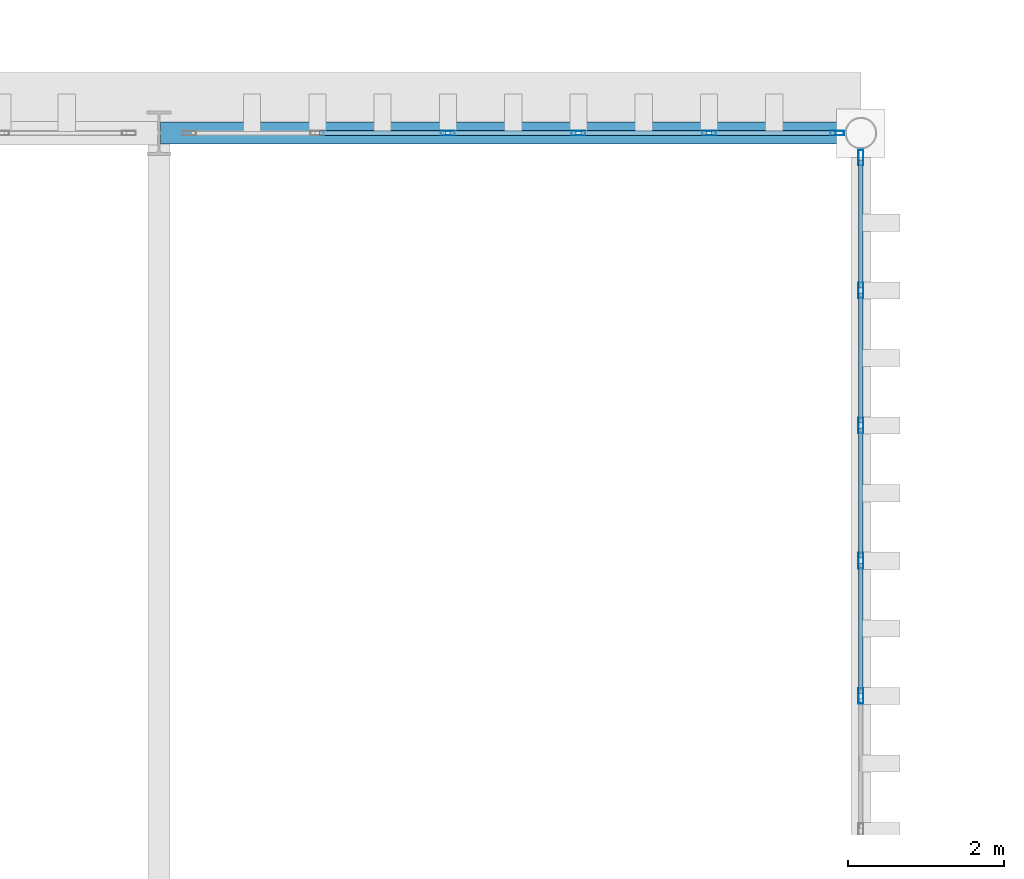
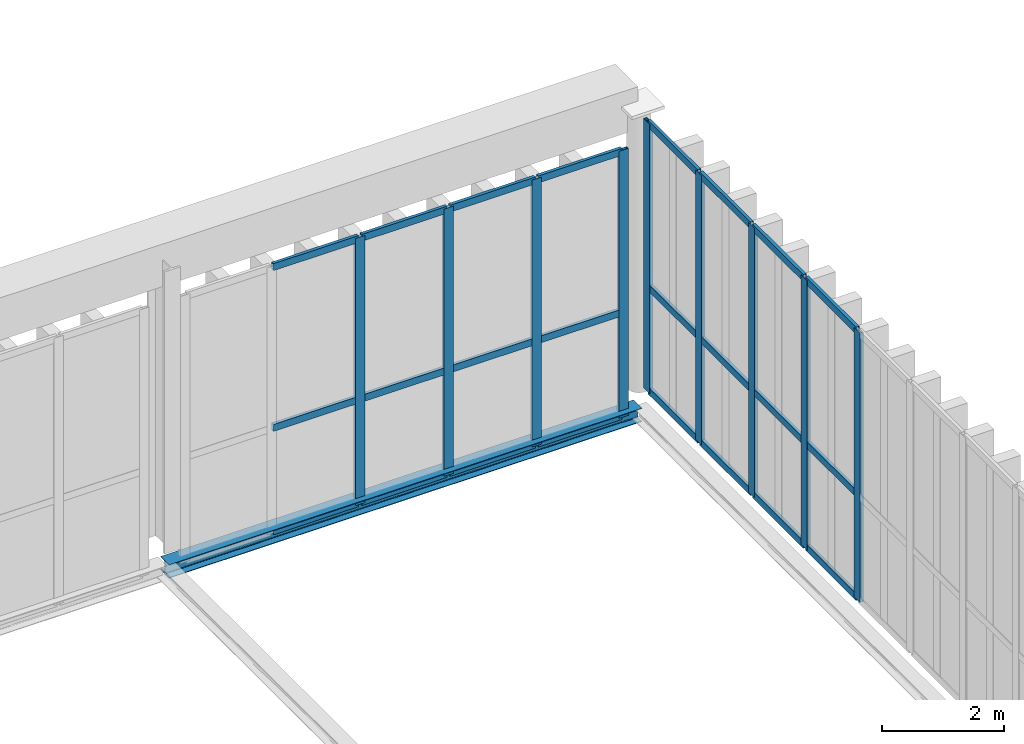
# One storey, part 179 of 237: 33 members, 1 beam, 2 elements without a shape of their own.
"""IFC4 building model written with IfcOpenShell, lengths in metres."""

from ifc_helpers import new_model, si_unit, direction, frame, origin, origin_2d, place, context, subcontext, project, spatial, hollow_rectangle, i_section, extrude, material, layer, layer_set, material_profile, profile_set, type_object, element, aggregate, save


model = new_model("IFC4")

# Units and contexts
model_context = context("Model", 3, precision=1e-05, world=origin(), true_north=direction((0.0, 1.0)))
body_context = subcontext(model_context, "Body", "Model", "MODEL_VIEW")
ifc_project = project(units=[si_unit("LENGTHUNIT", "METRE"), si_unit("AREAUNIT", "SQUARE_METRE"), si_unit("VOLUMEUNIT", "CUBIC_METRE"), si_unit("PLANEANGLEUNIT", "RADIAN"), si_unit("MASSUNIT", "GRAM", prefix="KILO")], contexts=[model_context])

# Site, building, storey
site_placement = place(None, origin())
site = spatial("IfcSite", under=ifc_project, at=site_placement, CompositionType="ELEMENT")
building_placement = place(site_placement, origin())
building = spatial("IfcBuilding", under=site, at=building_placement, Name="Barlavento Convention Centre", CompositionType="ELEMENT")
storey_placement = place(building_placement, frame((0.0, 0.0, 12.0)))
storey = spatial("IfcBuildingStorey", under=building, at=storey_placement, Name="L02", CompositionType="ELEMENT", Elevation=12.0)

# Curtain wall, members
ifc_material_1 = material(Name="Powder-coated aluminium and Low-E glass", Category="aluminium")
ifc_layer = layer(ifc_material_1, 0.18505859375)
ifc_layer_set = layer_set([ifc_layer], Name="ARC-CW-EXH-L02")
curtain_wall_type = type_object("IfcCurtainWallType", Name="ARC-CW-EXH-L02", PredefinedType="NOTDEFINED", material=ifc_layer_set)
curtain_wall_1_placement = place(storey_placement, origin())
curtain_wall_1 = element("IfcCurtainWall", 1, at=curtain_wall_1_placement, inside=storey, type_object=curtain_wall_type, Name="L02 unitised curtain wall CW05", PredefinedType="NOTDEFINED")
ifc_material_2 = material(Name="Powder-coated aluminium", Category="aluminium")
ifc_material_profile_1 = material_profile(ifc_material_2, hollow_rectangle(XDim=0.06005859375, YDim=0.179931640625, WallThickness=0.0048828125, at=origin_2d()), Name="AL-MULL 60x180x5")
ifc_profile_set_1 = profile_set([ifc_material_profile_1], Name="Powder-coated aluminium")
member_type_1 = type_object("IfcMemberType", Name="ARC-CWM-60X180", PredefinedType="MULLION", material=ifc_profile_set_1)
member_1_placement = place(storey_placement, frame((120.704345703125, 135.0, -0.5), z_axis=(0.0, 0.0, 1.0), x_axis=(0.0, 1.0, 0.0)))
member_1 = element("IfcMember", 2, at=member_1_placement, type_object=member_type_1, Name="CW05 mullion 3", PredefinedType="MULLION", context=body_context, shape_type="SweptSolid", body=[
    extrude(hollow_rectangle(XDim=0.06005859375, YDim=0.179931640625, WallThickness=0.0048828125, at=origin_2d()), origin(), (0.0, 0.0, 1.0), 5.35009765625),
])
member_2_placement = place(storey_placement, frame((122.37841796875, 135.0, -0.5), z_axis=(0.0, 0.0, 1.0), x_axis=(0.0, 1.0, 0.0)))
member_2 = element("IfcMember", 3, at=member_2_placement, type_object=member_type_1, Name="CW05 mullion 4", PredefinedType="MULLION", context=body_context, shape_type="SweptSolid", body=[
    extrude(hollow_rectangle(XDim=0.06005859375, YDim=0.179931640625, WallThickness=0.0048828125, at=origin_2d()), origin(), (0.0, 0.0, 1.0), 5.35009765625),
])
member_3_placement = place(storey_placement, frame((124.052734375, 135.0, -0.5), z_axis=(0.0, 0.0, 1.0), x_axis=(0.0, 1.0, 0.0)))
member_3 = element("IfcMember", 4, at=member_3_placement, type_object=member_type_1, Name="CW05 mullion 5", PredefinedType="MULLION", context=body_context, shape_type="SweptSolid", body=[
    extrude(hollow_rectangle(XDim=0.06005859375, YDim=0.179931640625, WallThickness=0.0048828125, at=origin_2d()), origin(), (0.0, 0.0, 1.0), 5.35009765625),
])
member_4_placement = place(storey_placement, frame((125.69677734375, 135.0, -0.5), z_axis=(0.0, 0.0, 1.0), x_axis=(0.0, 1.0, 0.0)))
member_4 = element("IfcMember", 5, at=member_4_placement, type_object=member_type_1, Name="CW05 mullion 6", PredefinedType="MULLION", context=body_context, shape_type="SweptSolid", body=[
    extrude(hollow_rectangle(XDim=0.06005859375, YDim=0.179931640625, WallThickness=0.0048828125, at=origin_2d()), origin(), (0.0, 0.0, 1.0), 5.35009765625),
])

curtain_wall_2_placement = place(storey_placement, origin())
curtain_wall_2 = element("IfcCurtainWall", 6, at=curtain_wall_2_placement, inside=storey, type_object=curtain_wall_type, Name="L02 unitised curtain wall CW05", PredefinedType="NOTDEFINED")
ifc_material_profile_2 = material_profile(ifc_material_2, hollow_rectangle(XDim=0.06494140625, YDim=0.199951171875, WallThickness=0.0048828125, at=origin_2d()), Name="AL-MULL 65x200x5")
ifc_profile_set_2 = profile_set([ifc_material_profile_2], Name="Powder-coated aluminium")
member_type_2 = type_object("IfcMemberType", Name="ARC-CWM-65X200", PredefinedType="MULLION", material=ifc_profile_set_2)
member_5_placement = place(storey_placement, frame((126.0, 127.781982421875, 0.10009765625), z_axis=(0.0, 0.0, 1.0), x_axis=(-1.0, 0.0, 0.0)))
member_5 = element("IfcMember", 7, at=member_5_placement, type_object=member_type_2, Name="CW05 mullion 7", PredefinedType="MULLION", context=body_context, shape_type="SweptSolid", body=[
    extrude(hollow_rectangle(XDim=0.06494140625, YDim=0.199951171875, WallThickness=0.0048828125, at=origin_2d()), origin(), (0.0, 0.0, 1.0), 5.39990234375),
])
member_6_placement = place(storey_placement, frame((126.0, 129.515869140625, 0.10009765625), z_axis=(0.0, 0.0, 1.0), x_axis=(-1.0, 0.0, 0.0)))
member_6 = element("IfcMember", 8, at=member_6_placement, type_object=member_type_2, Name="CW05 mullion 8", PredefinedType="MULLION", context=body_context, shape_type="SweptSolid", body=[
    extrude(hollow_rectangle(XDim=0.06494140625, YDim=0.199951171875, WallThickness=0.0048828125, at=origin_2d()), origin(), (0.0, 0.0, 1.0), 5.39990234375),
])
member_7_placement = place(storey_placement, frame((126.0, 131.24951171875, 0.10009765625), z_axis=(0.0, 0.0, 1.0), x_axis=(-1.0, 0.0, 0.0)))
member_7 = element("IfcMember", 9, at=member_7_placement, type_object=member_type_2, Name="CW05 mullion 9", PredefinedType="MULLION", context=body_context, shape_type="SweptSolid", body=[
    extrude(hollow_rectangle(XDim=0.06494140625, YDim=0.199951171875, WallThickness=0.0048828125, at=origin_2d()), origin(), (0.0, 0.0, 1.0), 5.39990234375),
])
member_8_placement = place(storey_placement, frame((126.0, 132.983154296875, 0.10009765625), z_axis=(0.0, 0.0, 1.0), x_axis=(-1.0, 0.0, 0.0)))
member_8 = element("IfcMember", 10, at=member_8_placement, type_object=member_type_2, Name="CW05 mullion 10", PredefinedType="MULLION", context=body_context, shape_type="SweptSolid", body=[
    extrude(hollow_rectangle(XDim=0.06494140625, YDim=0.199951171875, WallThickness=0.0048828125, at=origin_2d()), origin(), (0.0, 0.0, 1.0), 5.39990234375),
])
member_9_placement = place(storey_placement, frame((126.0, 134.684326171875, 0.10009765625), z_axis=(0.0, 0.0, 1.0), x_axis=(-1.0, 0.0, 0.0)))
member_9 = element("IfcMember", 11, at=member_9_placement, type_object=member_type_2, Name="CW05 mullion 11", PredefinedType="MULLION", context=body_context, shape_type="SweptSolid", body=[
    extrude(hollow_rectangle(XDim=0.06494140625, YDim=0.199951171875, WallThickness=0.0048828125, at=origin_2d()), origin(), (0.0, 0.0, 1.0), 5.39990234375),
])

# Member
ifc_material_profile_3 = material_profile(ifc_material_2, hollow_rectangle(XDim=0.06005859375, YDim=0.139892578125, WallThickness=0.00390625, at=origin_2d()), Name="AL-TRAN 60x140x4")
ifc_profile_set_3 = profile_set([ifc_material_profile_3], Name="Powder-coated aluminium")
member_type_3 = type_object("IfcMemberType", Name="ARC-CWT-60X140", PredefinedType="USERDEFINED", material=ifc_profile_set_3)
member_10_placement = place(storey_placement, frame((119.06005859375, 135.0, -0.469970703125), z_axis=(1.0, 0.0, 0.0), x_axis=(0.0, 1.0, 0.0)))
member_10 = element("IfcMember", 12, at=member_10_placement, type_object=member_type_3, Name="CW05 transom 2.1", ObjectType="TRANSOM", PredefinedType="USERDEFINED", context=body_context, shape_type="SweptSolid", body=[
    extrude(hollow_rectangle(XDim=0.06005859375, YDim=0.139892578125, WallThickness=0.00390625, at=origin_2d()), origin(), (0.0, 0.0, 1.0), 1.6142578125),
])

member_11_placement = place(storey_placement, frame((119.06005859375, 135.0, 1.60009765625), z_axis=(1.0, 0.0, 0.0), x_axis=(0.0, 1.0, 0.0)))
member_11 = element("IfcMember", 13, at=member_11_placement, type_object=member_type_3, Name="CW05 transom 2.2", ObjectType="TRANSOM", PredefinedType="USERDEFINED", context=body_context, shape_type="SweptSolid", body=[
    extrude(hollow_rectangle(XDim=0.06005859375, YDim=0.139892578125, WallThickness=0.00390625, at=origin_2d()), origin(), (0.0, 0.0, 1.0), 1.6142578125),
])

member_12_placement = place(storey_placement, frame((119.06005859375, 135.0, 4.820068359375), z_axis=(1.0, 0.0, 0.0), x_axis=(0.0, 1.0, 0.0)))
member_12 = element("IfcMember", 14, at=member_12_placement, type_object=member_type_3, Name="CW05 transom 2.3", ObjectType="TRANSOM", PredefinedType="USERDEFINED", context=body_context, shape_type="SweptSolid", body=[
    extrude(hollow_rectangle(XDim=0.06005859375, YDim=0.139892578125, WallThickness=0.00390625, at=origin_2d()), origin(), (0.0, 0.0, 1.0), 1.6142578125),
])

member_13_placement = place(storey_placement, frame((120.734375, 135.0, -0.469970703125), z_axis=(1.0, 0.0, 0.0), x_axis=(0.0, 1.0, 0.0)))
member_13 = element("IfcMember", 15, at=member_13_placement, type_object=member_type_3, Name="CW05 transom 3.1", ObjectType="TRANSOM", PredefinedType="USERDEFINED", context=body_context, shape_type="SweptSolid", body=[
    extrude(hollow_rectangle(XDim=0.06005859375, YDim=0.139892578125, WallThickness=0.00390625, at=origin_2d()), origin(), (0.0, 0.0, 1.0), 1.614013671875),
])

member_14_placement = place(storey_placement, frame((120.734375, 135.0, 1.60009765625), z_axis=(1.0, 0.0, 0.0), x_axis=(0.0, 1.0, 0.0)))
member_14 = element("IfcMember", 16, at=member_14_placement, type_object=member_type_3, Name="CW05 transom 3.2", ObjectType="TRANSOM", PredefinedType="USERDEFINED", context=body_context, shape_type="SweptSolid", body=[
    extrude(hollow_rectangle(XDim=0.06005859375, YDim=0.139892578125, WallThickness=0.00390625, at=origin_2d()), origin(), (0.0, 0.0, 1.0), 1.614013671875),
])

member_15_placement = place(storey_placement, frame((120.734375, 135.0, 4.820068359375), z_axis=(1.0, 0.0, 0.0), x_axis=(0.0, 1.0, 0.0)))
member_15 = element("IfcMember", 17, at=member_15_placement, type_object=member_type_3, Name="CW05 transom 3.3", ObjectType="TRANSOM", PredefinedType="USERDEFINED", context=body_context, shape_type="SweptSolid", body=[
    extrude(hollow_rectangle(XDim=0.06005859375, YDim=0.139892578125, WallThickness=0.00390625, at=origin_2d()), origin(), (0.0, 0.0, 1.0), 1.614013671875),
])

member_16_placement = place(storey_placement, frame((122.408447265625, 135.0, -0.469970703125), z_axis=(1.0, 0.0, 0.0), x_axis=(0.0, 1.0, 0.0)))
member_16 = element("IfcMember", 18, at=member_16_placement, type_object=member_type_3, Name="CW05 transom 4.1", ObjectType="TRANSOM", PredefinedType="USERDEFINED", context=body_context, shape_type="SweptSolid", body=[
    extrude(hollow_rectangle(XDim=0.06005859375, YDim=0.139892578125, WallThickness=0.00390625, at=origin_2d()), origin(), (0.0, 0.0, 1.0), 1.6142578125),
])

member_17_placement = place(storey_placement, frame((122.408447265625, 135.0, 1.60009765625), z_axis=(1.0, 0.0, 0.0), x_axis=(0.0, 1.0, 0.0)))
member_17 = element("IfcMember", 19, at=member_17_placement, type_object=member_type_3, Name="CW05 transom 4.2", ObjectType="TRANSOM", PredefinedType="USERDEFINED", context=body_context, shape_type="SweptSolid", body=[
    extrude(hollow_rectangle(XDim=0.06005859375, YDim=0.139892578125, WallThickness=0.00390625, at=origin_2d()), origin(), (0.0, 0.0, 1.0), 1.6142578125),
])

member_18_placement = place(storey_placement, frame((122.408447265625, 135.0, 4.820068359375), z_axis=(1.0, 0.0, 0.0), x_axis=(0.0, 1.0, 0.0)))
member_18 = element("IfcMember", 20, at=member_18_placement, type_object=member_type_3, Name="CW05 transom 4.3", ObjectType="TRANSOM", PredefinedType="USERDEFINED", context=body_context, shape_type="SweptSolid", body=[
    extrude(hollow_rectangle(XDim=0.06005859375, YDim=0.139892578125, WallThickness=0.00390625, at=origin_2d()), origin(), (0.0, 0.0, 1.0), 1.6142578125),
])

member_19_placement = place(storey_placement, frame((124.08251953125, 135.0, -0.469970703125), z_axis=(1.0, 0.0, 0.0), x_axis=(0.0, 1.0, 0.0)))
member_19 = element("IfcMember", 21, at=member_19_placement, type_object=member_type_3, Name="CW05 transom 5.1", ObjectType="TRANSOM", PredefinedType="USERDEFINED", context=body_context, shape_type="SweptSolid", body=[
    extrude(hollow_rectangle(XDim=0.06005859375, YDim=0.139892578125, WallThickness=0.00390625, at=origin_2d()), origin(), (0.0, 0.0, 1.0), 1.584228515625),
])

member_20_placement = place(storey_placement, frame((124.08251953125, 135.0, 1.60009765625), z_axis=(1.0, 0.0, 0.0), x_axis=(0.0, 1.0, 0.0)))
member_20 = element("IfcMember", 22, at=member_20_placement, type_object=member_type_3, Name="CW05 transom 5.2", ObjectType="TRANSOM", PredefinedType="USERDEFINED", context=body_context, shape_type="SweptSolid", body=[
    extrude(hollow_rectangle(XDim=0.06005859375, YDim=0.139892578125, WallThickness=0.00390625, at=origin_2d()), origin(), (0.0, 0.0, 1.0), 1.584228515625),
])

member_21_placement = place(storey_placement, frame((124.08251953125, 135.0, 4.820068359375), z_axis=(1.0, 0.0, 0.0), x_axis=(0.0, 1.0, 0.0)))
member_21 = element("IfcMember", 23, at=member_21_placement, type_object=member_type_3, Name="CW05 transom 5.3", ObjectType="TRANSOM", PredefinedType="USERDEFINED", context=body_context, shape_type="SweptSolid", body=[
    extrude(hollow_rectangle(XDim=0.06005859375, YDim=0.139892578125, WallThickness=0.00390625, at=origin_2d()), origin(), (0.0, 0.0, 1.0), 1.584228515625),
])

aggregate(curtain_wall_1, [member_1, member_2, member_3, member_4, member_10, member_11, member_12, member_13, member_14, member_15, member_16, member_17, member_18, member_19, member_20, member_21])

member_22_placement = place(storey_placement, frame((126.0, 127.814697265625, 0.1298828125), z_axis=(0.0, 1.0, 0.0), x_axis=(-1.0, 0.0, 0.0)))
member_22 = element("IfcMember", 24, at=member_22_placement, type_object=member_type_3, Name="CW05 transom 7.1", ObjectType="TRANSOM", PredefinedType="USERDEFINED", context=body_context, shape_type="SweptSolid", body=[
    extrude(hollow_rectangle(XDim=0.06005859375, YDim=0.139892578125, WallThickness=0.00390625, at=origin_2d()), origin(), (0.0, 0.0, 1.0), 1.66845703125),
])

member_23_placement = place(storey_placement, frame((126.0, 127.814697265625, 2.199951171875), z_axis=(0.0, 1.0, 0.0), x_axis=(-1.0, 0.0, 0.0)))
member_23 = element("IfcMember", 25, at=member_23_placement, type_object=member_type_3, Name="CW05 transom 7.2", ObjectType="TRANSOM", PredefinedType="USERDEFINED", context=body_context, shape_type="SweptSolid", body=[
    extrude(hollow_rectangle(XDim=0.06005859375, YDim=0.139892578125, WallThickness=0.00390625, at=origin_2d()), origin(), (0.0, 0.0, 1.0), 1.66845703125),
])

member_24_placement = place(storey_placement, frame((126.0, 127.814697265625, 5.469970703125), z_axis=(0.0, 1.0, 0.0), x_axis=(-1.0, 0.0, 0.0)))
member_24 = element("IfcMember", 26, at=member_24_placement, type_object=member_type_3, Name="CW05 transom 7.3", ObjectType="TRANSOM", PredefinedType="USERDEFINED", context=body_context, shape_type="SweptSolid", body=[
    extrude(hollow_rectangle(XDim=0.06005859375, YDim=0.139892578125, WallThickness=0.00390625, at=origin_2d()), origin(), (0.0, 0.0, 1.0), 1.66845703125),
])

member_25_placement = place(storey_placement, frame((126.0, 129.54833984375, 0.1298828125), z_axis=(0.0, 1.0, 0.0), x_axis=(-1.0, 0.0, 0.0)))
member_25 = element("IfcMember", 27, at=member_25_placement, type_object=member_type_3, Name="CW05 transom 8.1", ObjectType="TRANSOM", PredefinedType="USERDEFINED", context=body_context, shape_type="SweptSolid", body=[
    extrude(hollow_rectangle(XDim=0.06005859375, YDim=0.139892578125, WallThickness=0.00390625, at=origin_2d()), origin(), (0.0, 0.0, 1.0), 1.668701171875),
])

member_26_placement = place(storey_placement, frame((126.0, 129.54833984375, 2.199951171875), z_axis=(0.0, 1.0, 0.0), x_axis=(-1.0, 0.0, 0.0)))
member_26 = element("IfcMember", 28, at=member_26_placement, type_object=member_type_3, Name="CW05 transom 8.2", ObjectType="TRANSOM", PredefinedType="USERDEFINED", context=body_context, shape_type="SweptSolid", body=[
    extrude(hollow_rectangle(XDim=0.06005859375, YDim=0.139892578125, WallThickness=0.00390625, at=origin_2d()), origin(), (0.0, 0.0, 1.0), 1.668701171875),
])

member_27_placement = place(storey_placement, frame((126.0, 129.54833984375, 5.469970703125), z_axis=(0.0, 1.0, 0.0), x_axis=(-1.0, 0.0, 0.0)))
member_27 = element("IfcMember", 29, at=member_27_placement, type_object=member_type_3, Name="CW05 transom 8.3", ObjectType="TRANSOM", PredefinedType="USERDEFINED", context=body_context, shape_type="SweptSolid", body=[
    extrude(hollow_rectangle(XDim=0.06005859375, YDim=0.139892578125, WallThickness=0.00390625, at=origin_2d()), origin(), (0.0, 0.0, 1.0), 1.668701171875),
])

member_28_placement = place(storey_placement, frame((126.0, 131.281982421875, 0.1298828125), z_axis=(0.0, 1.0, 0.0), x_axis=(-1.0, 0.0, 0.0)))
member_28 = element("IfcMember", 30, at=member_28_placement, type_object=member_type_3, Name="CW05 transom 9.1", ObjectType="TRANSOM", PredefinedType="USERDEFINED", context=body_context, shape_type="SweptSolid", body=[
    extrude(hollow_rectangle(XDim=0.06005859375, YDim=0.139892578125, WallThickness=0.00390625, at=origin_2d()), origin(), (0.0, 0.0, 1.0), 1.668701171875),
])

member_29_placement = place(storey_placement, frame((126.0, 131.281982421875, 2.199951171875), z_axis=(0.0, 1.0, 0.0), x_axis=(-1.0, 0.0, 0.0)))
member_29 = element("IfcMember", 31, at=member_29_placement, type_object=member_type_3, Name="CW05 transom 9.2", ObjectType="TRANSOM", PredefinedType="USERDEFINED", context=body_context, shape_type="SweptSolid", body=[
    extrude(hollow_rectangle(XDim=0.06005859375, YDim=0.139892578125, WallThickness=0.00390625, at=origin_2d()), origin(), (0.0, 0.0, 1.0), 1.668701171875),
])

member_30_placement = place(storey_placement, frame((126.0, 131.281982421875, 5.469970703125), z_axis=(0.0, 1.0, 0.0), x_axis=(-1.0, 0.0, 0.0)))
member_30 = element("IfcMember", 32, at=member_30_placement, type_object=member_type_3, Name="CW05 transom 9.3", ObjectType="TRANSOM", PredefinedType="USERDEFINED", context=body_context, shape_type="SweptSolid", body=[
    extrude(hollow_rectangle(XDim=0.06005859375, YDim=0.139892578125, WallThickness=0.00390625, at=origin_2d()), origin(), (0.0, 0.0, 1.0), 1.668701171875),
])

member_31_placement = place(storey_placement, frame((126.0, 133.015625, 0.1298828125), z_axis=(0.0, 1.0, 0.0), x_axis=(-1.0, 0.0, 0.0)))
member_31 = element("IfcMember", 33, at=member_31_placement, type_object=member_type_3, Name="CW05 transom 10.1", ObjectType="TRANSOM", PredefinedType="USERDEFINED", context=body_context, shape_type="SweptSolid", body=[
    extrude(hollow_rectangle(XDim=0.06005859375, YDim=0.139892578125, WallThickness=0.00390625, at=origin_2d()), origin(), (0.0, 0.0, 1.0), 1.63623046875),
])

member_32_placement = place(storey_placement, frame((126.0, 133.015625, 2.199951171875), z_axis=(0.0, 1.0, 0.0), x_axis=(-1.0, 0.0, 0.0)))
member_32 = element("IfcMember", 34, at=member_32_placement, type_object=member_type_3, Name="CW05 transom 10.2", ObjectType="TRANSOM", PredefinedType="USERDEFINED", context=body_context, shape_type="SweptSolid", body=[
    extrude(hollow_rectangle(XDim=0.06005859375, YDim=0.139892578125, WallThickness=0.00390625, at=origin_2d()), origin(), (0.0, 0.0, 1.0), 1.63623046875),
])

member_33_placement = place(storey_placement, frame((126.0, 133.015625, 5.469970703125), z_axis=(0.0, 1.0, 0.0), x_axis=(-1.0, 0.0, 0.0)))
member_33 = element("IfcMember", 35, at=member_33_placement, type_object=member_type_3, Name="CW05 transom 10.3", ObjectType="TRANSOM", PredefinedType="USERDEFINED", context=body_context, shape_type="SweptSolid", body=[
    extrude(hollow_rectangle(XDim=0.06005859375, YDim=0.139892578125, WallThickness=0.00390625, at=origin_2d()), origin(), (0.0, 0.0, 1.0), 1.63623046875),
])

aggregate(curtain_wall_2, [member_5, member_6, member_7, member_8, member_9, member_22, member_23, member_24, member_25, member_26, member_27, member_28, member_29, member_30, member_31, member_32, member_33])

# Beam
ifc_material_3 = material(Name="Steel S355", Category="steel")
ifc_material_profile_4 = material_profile(ifc_material_3, i_section(OverallWidth=0.280029296875, OverallDepth=0.27001953125, WebThickness=0.008056640625, FlangeThickness=0.012939453125, FilletRadius=0.02392578125, at=origin_2d()), Name="HEA 280")
ifc_profile_set_4 = profile_set([ifc_material_profile_4], Name="Steel S355")
beam_type = type_object("IfcBeamType", Name="STR-BM-SPN-HEA280", PredefinedType="SPANDREL", material=ifc_profile_set_4)
beam_placement = place(storey_placement, frame((117.02001953125, 135.0, -0.4951171875), z_axis=(1.0, 0.0, 0.0), x_axis=(0.0, 1.0, 0.0)))
element("IfcBeam", 36, at=beam_placement, inside=storey, type_object=beam_type, Name="L02 primary girder SP03", PredefinedType="SPANDREL", context=body_context, shape_type="SweptSolid", body=[
    extrude(i_section(OverallWidth=0.280029296875, OverallDepth=0.27001953125, WebThickness=0.008056640625, FlangeThickness=0.012939453125, FilletRadius=0.02392578125, at=origin_2d()), origin(), (0.0, 0.0, 1.0), 8.9599609375),
])

save(model, "model.ifc")
